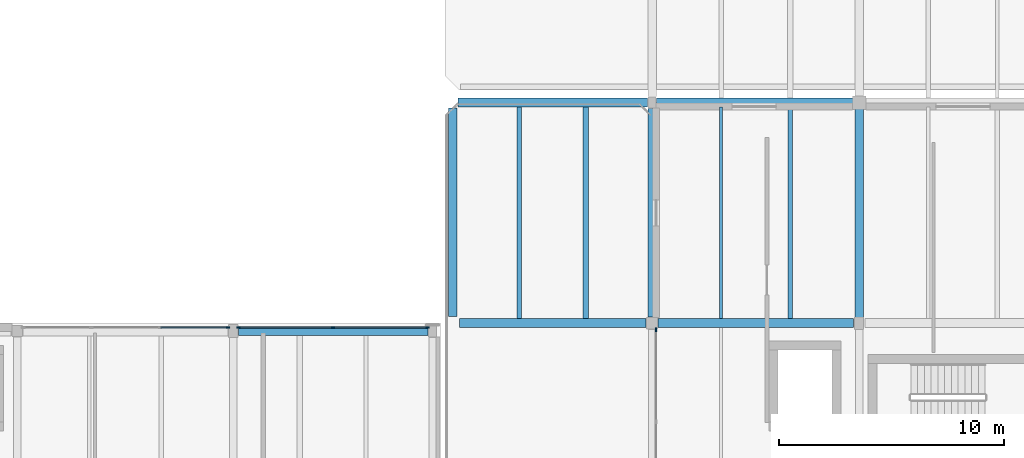
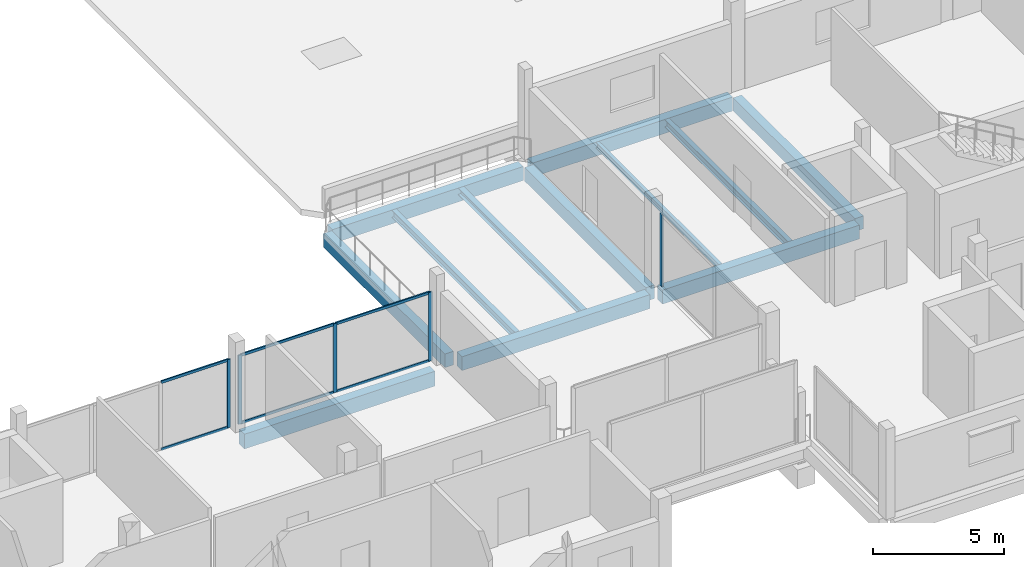
# One storey, part 13 of 41: 12 beams, 11 members, 3 elements without a shape of their own.
"""IFC4 building model written with IfcOpenShell, lengths in metres."""

from ifc_helpers import new_model, si_unit, direction, frame, origin, origin_2d, place, context, subcontext, project, spatial, rectangle, i_section, extrude, material, layer, layer_set, material_profile, profile_set, type_object, element, aggregate, save


model = new_model("IFC4")

# Units and contexts
model_context = context("Model", 3, precision=1e-05, world=origin(), true_north=direction((0.0, 1.0)))
body_context = subcontext(model_context, "Body", "Model", "MODEL_VIEW")
ifc_project = project(units=[si_unit("LENGTHUNIT", "METRE"), si_unit("AREAUNIT", "SQUARE_METRE"), si_unit("VOLUMEUNIT", "CUBIC_METRE"), si_unit("PLANEANGLEUNIT", "RADIAN"), si_unit("MASSUNIT", "GRAM", prefix="KILO")], contexts=[model_context])

# Site, building, storey
site_placement = place(None, origin())
site = spatial("IfcSite", under=ifc_project, at=site_placement, CompositionType="ELEMENT")
building_placement = place(site_placement, origin())
building = spatial("IfcBuilding", under=site, at=building_placement, Name="Birchvale Park Specialist Clinic", CompositionType="ELEMENT")
storey_placement = place(building_placement, frame((0.0, 0.0, 9.60009765625)))
storey = spatial("IfcBuildingStorey", under=building, at=storey_placement, Name="L02", CompositionType="ELEMENT", Elevation=9.60009765625)

# Beams
ifc_material_1 = material(Name="Concrete C40/50", Category="concrete")
ifc_material_profile_1 = material_profile(ifc_material_1, rectangle(XDim=0.39990234375, YDim=0.68994140625, at=origin_2d()), Name="RCB-400x690")
ifc_profile_set_1 = profile_set([ifc_material_profile_1], Name="Concrete C40/50")
beam_type_1 = type_object("IfcBeamType", Name="BM-EXT-BG4", PredefinedType="BEAM", material=ifc_profile_set_1)
beam_1_placement = place(storey_placement, frame((109.639892578125, 34.25, -0.625), z_axis=(1.0, 0.0, 0.0), x_axis=(0.0, 1.0, 0.0)))
element("IfcBeam", 1, at=beam_1_placement, inside=storey, type_object=beam_type_1, Name="V4 L02 X girder 20", PredefinedType="BEAM", context=body_context, shape_type="SweptSolid", body=[
    extrude(rectangle(XDim=0.39990234375, YDim=0.68994140625, at=origin_2d()), origin(), (0.0, 0.0, 1.0), 8.400146484375),
])
ifc_material_profile_2 = material_profile(ifc_material_1, rectangle(XDim=0.3798828125, YDim=0.639892578125, at=origin_2d()), Name="RCB-380x640")
ifc_profile_set_2 = profile_set([ifc_material_profile_2], Name="Concrete C40/50")
beam_type_2 = type_object("IfcBeamType", Name="BM-EXT-BG5", PredefinedType="BEAM", material=ifc_profile_set_2)
beam_2_placement = place(storey_placement, frame((119.14990234375, 34.889892578125, -0.630126953125), z_axis=(0.0, 1.0, 0.0), x_axis=(-1.0, 0.0, 0.0)))
element("IfcBeam", 2, at=beam_2_placement, inside=storey, type_object=beam_type_2, Name="V5 L02 Y girder 19", PredefinedType="BEAM", context=body_context, shape_type="SweptSolid", body=[
    extrude(rectangle(XDim=0.3798828125, YDim=0.639892578125, at=origin_2d()), origin(), (0.0, 0.0, 1.0), 9.27001953125),
])
beam_3_placement = place(storey_placement, frame((128.0, 34.875, -0.630126953125), z_axis=(0.0, 1.0, 0.0), x_axis=(-1.0, 0.0, 0.0)))
element("IfcBeam", 3, at=beam_3_placement, inside=storey, type_object=beam_type_2, Name="V5 L02 Y girder 22", PredefinedType="BEAM", context=body_context, shape_type="SweptSolid", body=[
    extrude(rectangle(XDim=0.3798828125, YDim=0.639892578125, at=origin_2d()), origin(), (0.0, 0.0, 1.0), 9.25),
])
ifc_material_profile_3 = material_profile(ifc_material_1, rectangle(XDim=0.39990234375, YDim=0.64990234375, at=origin_2d()), Name="RCB-400x650")
ifc_profile_set_3 = profile_set([ifc_material_profile_3], Name="Concrete C40/50")
beam_type_3 = type_object("IfcBeamType", Name="BM-INT-BG4", PredefinedType="BEAM", material=ifc_profile_set_3)
beam_4_placement = place(storey_placement, frame((119.43994140625, 34.60009765625, -0.635009765625), z_axis=(1.0, 0.0, 0.0), x_axis=(0.0, 1.0, 0.0)))
element("IfcBeam", 4, at=beam_4_placement, inside=storey, type_object=beam_type_3, Name="V5 L02 X girder 7", PredefinedType="BEAM", context=body_context, shape_type="SweptSolid", body=[
    extrude(rectangle(XDim=0.39990234375, YDim=0.64990234375, at=origin_2d()), origin(), (0.0, 0.0, 1.0), 8.28515625),
])
beam_5_placement = place(storey_placement, frame((128.27490234375, 34.60009765625, -0.625), z_axis=(1.0, 0.0, 0.0), x_axis=(0.0, 1.0, 0.0)))
element("IfcBeam", 5, at=beam_5_placement, inside=storey, type_object=beam_type_3, Name="V5 L02 X girder 8", PredefinedType="BEAM", context=body_context, shape_type="SweptSolid", body=[
    extrude(rectangle(XDim=0.39990234375, YDim=0.64990234375, at=origin_2d()), origin(), (0.0, 0.0, 1.0), 8.675048828125),
])
beam_6_placement = place(storey_placement, frame((119.389892578125, 44.39990234375, -0.635009765625), z_axis=(1.0, 0.0, 0.0), x_axis=(0.0, 1.0, 0.0)))
element("IfcBeam", 6, at=beam_6_placement, inside=storey, type_object=beam_type_3, Name="V5 L02 X girder 11", PredefinedType="BEAM", context=body_context, shape_type="SweptSolid", body=[
    extrude(rectangle(XDim=0.39990234375, YDim=0.64990234375, at=origin_2d()), origin(), (0.0, 0.0, 1.0), 8.41015625),
])
beam_7_placement = place(storey_placement, frame((128.199951171875, 44.39990234375, -0.625), z_axis=(1.0, 0.0, 0.0), x_axis=(0.0, 1.0, 0.0)))
element("IfcBeam", 7, at=beam_7_placement, inside=storey, type_object=beam_type_3, Name="V5 L02 X girder 12", PredefinedType="BEAM", context=body_context, shape_type="SweptSolid", body=[
    extrude(rectangle(XDim=0.39990234375, YDim=0.64990234375, at=origin_2d()), origin(), (0.0, 0.0, 1.0), 8.824951171875),
])
ifc_material_profile_4 = material_profile(ifc_material_1, rectangle(XDim=0.3798828125, YDim=0.60009765625, at=origin_2d()), Name="RCB-380x600")
ifc_profile_set_4 = profile_set([ifc_material_profile_4], Name="Concrete C40/50")
beam_type_4 = type_object("IfcBeamType", Name="BM-INT-BG5", PredefinedType="BEAM", material=ifc_profile_set_4)
beam_8_placement = place(storey_placement, frame((137.199951171875, 34.85009765625, -0.60009765625), z_axis=(0.0, 1.0, 0.0), x_axis=(-1.0, 0.0, 0.0)))
element("IfcBeam", 8, at=beam_8_placement, inside=storey, type_object=beam_type_4, Name="V5 L02 Y girder 27", PredefinedType="BEAM", context=body_context, shape_type="SweptSolid", body=[
    extrude(rectangle(XDim=0.3798828125, YDim=0.60009765625, at=origin_2d()), origin(), (0.0, 0.0, 1.0), 9.2998046875),
])

# Curtain wall, members
ifc_material_2 = material(Name="Thermally broken anodised aluminium", Category="aluminium")
ifc_layer_1 = layer(ifc_material_2, 0.179931640625)
ifc_layer_set_1 = layer_set([ifc_layer_1], Name="Thermally broken anodised aluminium")
curtain_wall_type_1 = type_object("IfcCurtainWallType", Name="CW-U1", PredefinedType="USERDEFINED", material=ifc_layer_set_1)
curtain_wall_1_placement = place(storey_placement, origin())
curtain_wall_1 = element("IfcCurtainWall", 9, at=curtain_wall_1_placement, inside=storey, type_object=curtain_wall_type_1, Name="V4 L02 glazed curtain wall 109", ObjectType="UNITISED", PredefinedType="USERDEFINED")
ifc_material_profile_5 = material_profile(ifc_material_2, rectangle(XDim=0.06005859375, YDim=0.159912109375, at=origin_2d()), Name="CWM-60x160")
ifc_profile_set_5 = profile_set([ifc_material_profile_5], Name="Thermally broken anodised aluminium")
member_type_1 = type_object("IfcMemberType", Name="CWM1", PredefinedType="MULLION", material=ifc_profile_set_5)
member_1_placement = place(storey_placement, frame((118.034912109375, 34.409912109375, 0.0), z_axis=(0.0, 0.0, 1.0), x_axis=(0.0, -1.0, 0.0)))
member_1 = element("IfcMember", 10, at=member_1_placement, type_object=member_type_1, Name="CW mullion 1", PredefinedType="MULLION", context=body_context, shape_type="SweptSolid", body=[
    extrude(rectangle(XDim=0.06005859375, YDim=0.159912109375, at=origin_2d()), origin(), (0.0, 0.0, 1.0), 3.21484375),
])
member_2_placement = place(storey_placement, frame((113.83740234375, 34.409912109375, 0.0), z_axis=(0.0, 0.0, 1.0), x_axis=(0.0, -1.0, 0.0)))
member_2 = element("IfcMember", 11, at=member_2_placement, type_object=member_type_1, Name="CW mullion 2", PredefinedType="MULLION", context=body_context, shape_type="SweptSolid", body=[
    extrude(rectangle(XDim=0.06005859375, YDim=0.159912109375, at=origin_2d()), origin(), (0.0, 0.0, 1.0), 3.21484375),
])
member_3_placement = place(storey_placement, frame((109.639892578125, 34.409912109375, 0.0), z_axis=(0.0, 0.0, 1.0), x_axis=(0.0, -1.0, 0.0)))
member_3 = element("IfcMember", 12, at=member_3_placement, type_object=member_type_1, Name="CW mullion 3", PredefinedType="MULLION", context=body_context, shape_type="SweptSolid", body=[
    extrude(rectangle(XDim=0.06005859375, YDim=0.159912109375, at=origin_2d()), origin(), (0.0, 0.0, 1.0), 3.21484375),
])

# Curtain wall, member
curtain_wall_2_placement = place(storey_placement, origin())
curtain_wall_2 = element("IfcCurtainWall", 13, at=curtain_wall_2_placement, inside=storey, type_object=curtain_wall_type_1, Name="V4 L02 glazed curtain wall 110", ObjectType="UNITISED", PredefinedType="USERDEFINED")
member_4_placement = place(storey_placement, frame((109.159912109375, 34.409912109375, 0.0), z_axis=(0.0, 0.0, 1.0), x_axis=(0.0, -1.0, 0.0)))
member_4 = element("IfcMember", 14, at=member_4_placement, type_object=member_type_1, Name="CW mullion 1", PredefinedType="MULLION", context=body_context, shape_type="SweptSolid", body=[
    extrude(rectangle(XDim=0.06005859375, YDim=0.159912109375, at=origin_2d()), origin(), (0.0, 0.0, 1.0), 3.184814453125),
])

ifc_layer_2 = layer(ifc_material_2, 0.195068359375)
ifc_layer_set_2 = layer_set([ifc_layer_2], Name="Thermally broken anodised aluminium")
curtain_wall_type_2 = type_object("IfcCurtainWallType", Name="CW-U2", PredefinedType="USERDEFINED", material=ifc_layer_set_2)
curtain_wall_3_placement = place(storey_placement, origin())
curtain_wall_3 = element("IfcCurtainWall", 15, at=curtain_wall_3_placement, inside=storey, type_object=curtain_wall_type_2, Name="V5 L02 glazed curtain wall 112", ObjectType="UNITISED", PredefinedType="USERDEFINED")
ifc_material_profile_6 = material_profile(ifc_material_2, rectangle(XDim=0.06494140625, YDim=0.179931640625, at=origin_2d()), Name="CWM-65x180")
ifc_profile_set_6 = profile_set([ifc_material_profile_6], Name="Thermally broken anodised aluminium")
member_type_2 = type_object("IfcMemberType", Name="CWM2", PredefinedType="MULLION", material=ifc_profile_set_6)
member_5_placement = place(storey_placement, frame((128.175048828125, 34.3173828125, 0.0), z_axis=(0.0, 0.0, 1.0), x_axis=(1.0, 0.0, 0.0)))
member_5 = element("IfcMember", 16, at=member_5_placement, type_object=member_type_2, Name="CW mullion 1", PredefinedType="MULLION", context=body_context, shape_type="SweptSolid", body=[
    extrude(rectangle(XDim=0.06494140625, YDim=0.179931640625, at=origin_2d()), origin(), (0.0, 0.0, 1.0), 3.364990234375),
])
aggregate(curtain_wall_3, [member_5])

# Member
ifc_material_profile_7 = material_profile(ifc_material_2, rectangle(XDim=0.06005859375, YDim=0.1201171875, at=origin_2d()), Name="CWT-60x120")
ifc_profile_set_7 = profile_set([ifc_material_profile_7], Name="Thermally broken anodised aluminium")
member_type_3 = type_object("IfcMemberType", Name="CWT1", PredefinedType="USERDEFINED", material=ifc_profile_set_7)
member_6_placement = place(storey_placement, frame((118.0048828125, 34.409912109375, 0.02978515625), z_axis=(-1.0, 0.0, 0.0), x_axis=(0.0, -1.0, 0.0)))
member_6 = element("IfcMember", 17, at=member_6_placement, type_object=member_type_3, Name="CW transom 1.1", ObjectType="TRANSOM", PredefinedType="USERDEFINED", context=body_context, shape_type="SweptSolid", body=[
    extrude(rectangle(XDim=0.06005859375, YDim=0.1201171875, at=origin_2d()), origin(), (0.0, 0.0, 1.0), 4.137451171875),
])

member_7_placement = place(storey_placement, frame((118.0048828125, 34.409912109375, 3.184814453125), z_axis=(-1.0, 0.0, 0.0), x_axis=(0.0, -1.0, 0.0)))
member_7 = element("IfcMember", 18, at=member_7_placement, type_object=member_type_3, Name="CW transom 1.2", ObjectType="TRANSOM", PredefinedType="USERDEFINED", context=body_context, shape_type="SweptSolid", body=[
    extrude(rectangle(XDim=0.06005859375, YDim=0.1201171875, at=origin_2d()), origin(), (0.0, 0.0, 1.0), 4.137451171875),
])

member_8_placement = place(storey_placement, frame((113.8076171875, 34.409912109375, 0.02978515625), z_axis=(-1.0, 0.0, 0.0), x_axis=(0.0, -1.0, 0.0)))
member_8 = element("IfcMember", 19, at=member_8_placement, type_object=member_type_3, Name="CW transom 2.1", ObjectType="TRANSOM", PredefinedType="USERDEFINED", context=body_context, shape_type="SweptSolid", body=[
    extrude(rectangle(XDim=0.06005859375, YDim=0.1201171875, at=origin_2d()), origin(), (0.0, 0.0, 1.0), 4.1376953125),
])

member_9_placement = place(storey_placement, frame((113.8076171875, 34.409912109375, 3.184814453125), z_axis=(-1.0, 0.0, 0.0), x_axis=(0.0, -1.0, 0.0)))
member_9 = element("IfcMember", 20, at=member_9_placement, type_object=member_type_3, Name="CW transom 2.2", ObjectType="TRANSOM", PredefinedType="USERDEFINED", context=body_context, shape_type="SweptSolid", body=[
    extrude(rectangle(XDim=0.06005859375, YDim=0.1201171875, at=origin_2d()), origin(), (0.0, 0.0, 1.0), 4.1376953125),
])

aggregate(curtain_wall_1, [member_1, member_2, member_3, member_6, member_7, member_8, member_9])

member_10_placement = place(storey_placement, frame((109.1298828125, 34.409912109375, 0.02978515625), z_axis=(-1.0, 0.0, 0.0), x_axis=(0.0, -1.0, 0.0)))
member_10 = element("IfcMember", 21, at=member_10_placement, type_object=member_type_3, Name="CW transom 1.1", ObjectType="TRANSOM", PredefinedType="USERDEFINED", context=body_context, shape_type="SweptSolid", body=[
    extrude(rectangle(XDim=0.06005859375, YDim=0.1201171875, at=origin_2d()), origin(), (0.0, 0.0, 1.0), 2.9599609375),
])

member_11_placement = place(storey_placement, frame((109.1298828125, 34.409912109375, 3.15478515625), z_axis=(-1.0, 0.0, 0.0), x_axis=(0.0, -1.0, 0.0)))
member_11 = element("IfcMember", 22, at=member_11_placement, type_object=member_type_3, Name="CW transom 1.2", ObjectType="TRANSOM", PredefinedType="USERDEFINED", context=body_context, shape_type="SweptSolid", body=[
    extrude(rectangle(XDim=0.06005859375, YDim=0.1201171875, at=origin_2d()), origin(), (0.0, 0.0, 1.0), 2.9599609375),
])

aggregate(curtain_wall_2, [member_4, member_10, member_11])

# Beams
ifc_material_3 = material(Name="Steel ASTM A992 Grade 50", Category="steel")
ifc_material_profile_8 = material_profile(ifc_material_3, i_section(OverallWidth=0.2041015625, OverallDepth=0.35107421875, WebThickness=0.008544921875, FlangeThickness=0.01513671875, at=origin_2d()), Name="W14X48")
ifc_profile_set_8 = profile_set([ifc_material_profile_8], Name="Steel ASTM A992 Grade 50")
beam_type_5 = type_object("IfcBeamType", Name="STL-INT-SJ1", PredefinedType="JOIST", material=ifc_profile_set_8)
for number, where, z_axis, x_axis, name in (
    (23, (122.10009765625, 34.800048828125, -0.485595703125), (0.0, 1.0, 0.0), (-1.0, 0.0, 0.0), "V5 L02 secondary floor joist 1"),
    (24, (134.13330078125, 34.800048828125, -0.4755859375), (0.0, 1.0, 0.0), (-1.0, 0.0, 0.0), "V5 L02 secondary floor joist 6"),
):
    element("IfcBeam", number, at=place(storey_placement, frame(where, z_axis=z_axis, x_axis=x_axis)), inside=storey, type_object=beam_type_5, Name=name, PredefinedType="JOIST", context=body_context, shape_type="SweptSolid", body=[
        extrude(i_section(OverallWidth=0.2041015625, OverallDepth=0.35107421875, WebThickness=0.008544921875, FlangeThickness=0.01513671875, at=origin_2d()), origin(), (0.0, 0.0, 1.0), 9.39990234375),
    ])
ifc_material_profile_9 = material_profile(ifc_material_3, i_section(OverallWidth=0.25390625, OverallDepth=0.305908203125, WebThickness=0.0087890625, FlangeThickness=0.0146484375, at=origin_2d()), Name="W12X53")
ifc_profile_set_9 = profile_set([ifc_material_profile_9], Name="Steel ASTM A992 Grade 50")
beam_type_6 = type_object("IfcBeamType", Name="STL-INT-SJ2", PredefinedType="JOIST", material=ifc_profile_set_9)
beam_9_placement = place(storey_placement, frame((125.050048828125, 34.800048828125, -0.463134765625), z_axis=(0.0, 1.0, 0.0), x_axis=(-1.0, 0.0, 0.0)))
element("IfcBeam", 25, at=beam_9_placement, inside=storey, type_object=beam_type_6, Name="V5 L02 secondary floor joist 2", PredefinedType="JOIST", context=body_context, shape_type="SweptSolid", body=[
    extrude(i_section(OverallWidth=0.25390625, OverallDepth=0.305908203125, WebThickness=0.0087890625, FlangeThickness=0.0146484375, at=origin_2d()), origin(), (0.0, 0.0, 1.0), 9.39990234375),
])
ifc_material_profile_10 = material_profile(ifc_material_3, i_section(OverallWidth=0.14697265625, OverallDepth=0.261962890625, WebThickness=0.006591796875, FlangeThickness=0.01123046875, at=origin_2d()), Name="W10X26")
ifc_profile_set_10 = profile_set([ifc_material_profile_10], Name="Steel ASTM A992 Grade 50")
beam_type_7 = type_object("IfcBeamType", Name="STL-INT-SJ5", PredefinedType="JOIST", material=ifc_profile_set_10)
beam_10_placement = place(storey_placement, frame((131.066650390625, 34.800048828125, -0.43115234375), z_axis=(0.0, 1.0, 0.0), x_axis=(-1.0, 0.0, 0.0)))
element("IfcBeam", 26, at=beam_10_placement, inside=storey, type_object=beam_type_7, Name="V5 L02 secondary floor joist 5", PredefinedType="JOIST", context=body_context, shape_type="SweptSolid", body=[
    extrude(i_section(OverallWidth=0.14697265625, OverallDepth=0.261962890625, WebThickness=0.006591796875, FlangeThickness=0.01123046875, at=origin_2d()), origin(), (0.0, 0.0, 1.0), 9.39990234375),
])

save(model, "model.ifc")
